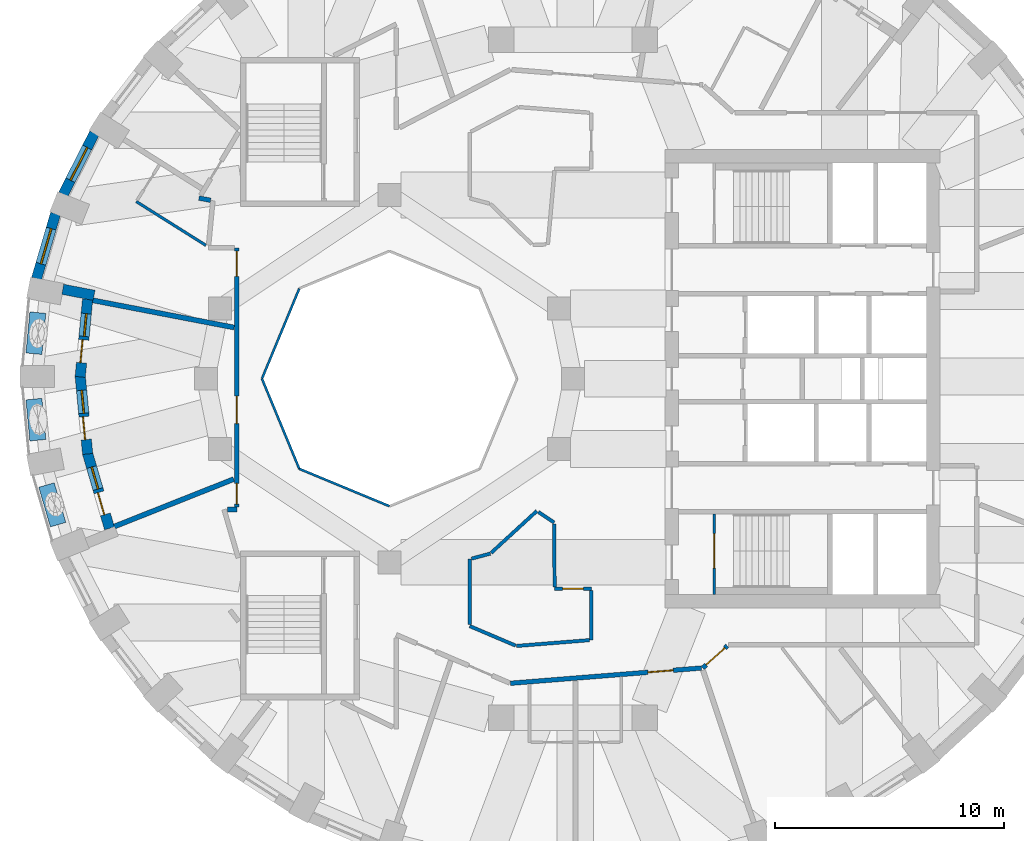
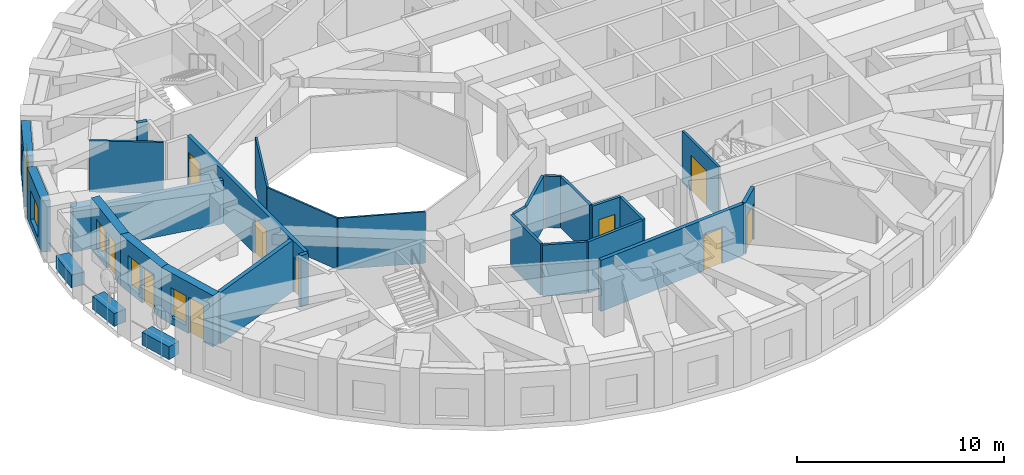
# One storey, part 4 of 12: 30 walls, 10 doors, 5 windows, 15 openings.
"""IFC4 building model written with IfcOpenShell, lengths in metres."""

import ifcopenshell
import ifcopenshell.guid

model = None  # the IFC model being written
_history = None  # IfcOwnerHistory: only IFC2X3 demands one
_inside = {}  # id of a spatial element -> (the spatial element, [elements in it])
_under = {}  # id of a project, library or spatial element -> (it, [spatial elements below it])
_declared = {}  # id of a project -> (the project, [libraries it declares])
_typed = {}  # id of a type object -> (the type object, [elements of that type])
_made_of = {}  # id of a material, layer set ... -> (it, [elements and type objects made of it])


def new_model(schema):
    """Start an empty IFC model of exactly this schema.

    Asked for "IFC4X3", IfcOpenShell would pick the latest addendum, in which some entities
    have other attributes; the version numbers below select the first issue.
    IFC2X3 requires an IfcOwnerHistory on every rooted entity: one is made here for all.
    """
    global model, _history
    if schema == "IFC4X3":
        model = ifcopenshell.file(schema_version=(4, 3, 0, 0))
    else:
        model = ifcopenshell.file(schema=schema)
    _inside.clear()
    _under.clear()
    _declared.clear()
    _typed.clear()
    _made_of.clear()
    _history = None
    if model.schema == "IFC2X3":
        org = make("IfcOrganization", Name="unknown")
        user = make(
            "IfcPersonAndOrganization",
            ThePerson=make("IfcPerson", FamilyName="unknown"),
            TheOrganization=org,
        )
        app = make(
            "IfcApplication",
            ApplicationDeveloper=org,
            Version="unknown",
            ApplicationFullName="unknown",
            ApplicationIdentifier="unknown",
        )
        _history = make(
            "IfcOwnerHistory",
            OwningUser=user,
            OwningApplication=app,
            ChangeAction="ADDED",
            CreationDate=0,
        )
    return model


def make(cls, **values):
    """One entity of the class cls with the attributes given. An attribute that is None is left unset."""
    return model.create_entity(
        cls, **{name: value for name, value in values.items() if value is not None}
    )


def rooted(cls, **values):
    """An entity with a GlobalId (a new one), such as an element, a storey or a relation."""
    return make(cls, GlobalId=ifcopenshell.guid.new(), OwnerHistory=_history, **values)


def si_unit(unit_type, name, prefix=None):
    """IfcSIUnit, for example si_unit("LENGTHUNIT", "METRE", prefix="MILLI")."""
    return make("IfcSIUnit", UnitType=unit_type, Prefix=prefix, Name=name)


def assignment(units):
    """IfcUnitAssignment: the units of a project."""
    return None if units is None else make("IfcUnitAssignment", Units=units)


def point(xyz):
    """IfcCartesianPoint."""
    return None if xyz is None else make("IfcCartesianPoint", Coordinates=xyz)


def direction(xyz):
    """IfcDirection."""
    return None if xyz is None else make("IfcDirection", DirectionRatios=xyz)


def frame(location, z_axis=None, x_axis=None):
    """IfcAxis2Placement3D, a coordinate frame: its origin and axes. An axis left out is left unset."""
    return make(
        "IfcAxis2Placement3D",
        Location=point(location),
        Axis=direction(z_axis),
        RefDirection=direction(x_axis),
    )


def frame_2d(location, x_axis=None):
    """IfcAxis2Placement2D, a coordinate frame in the plane: its origin and x axis."""
    return make(
        "IfcAxis2Placement2D", Location=point(location), RefDirection=direction(x_axis)
    )


def origin():
    """The frame at (0, 0, 0) with its axes left unset."""
    return frame((0.0, 0.0, 0.0))


def place(relative_to, where):
    """IfcLocalPlacement: puts the frame where relative to a parent placement (None: the world)."""
    return make(
        "IfcLocalPlacement", PlacementRelTo=relative_to, RelativePlacement=where
    )


def context(
    kind, dimensions, precision=None, world=None, true_north=None, identifier=None
):
    """IfcGeometricRepresentationContext, for example the 3D "Model" context."""
    return make(
        "IfcGeometricRepresentationContext",
        ContextIdentifier=identifier,
        ContextType=kind,
        CoordinateSpaceDimension=dimensions,
        Precision=precision,
        WorldCoordinateSystem=world,
        TrueNorth=true_north,
    )


def subcontext(parent, identifier, kind, view, scale=None):
    """IfcGeometricRepresentationSubContext, for example "Body" below "Model"."""
    return make(
        "IfcGeometricRepresentationSubContext",
        ContextIdentifier=identifier,
        ContextType=kind,
        ParentContext=parent,
        TargetScale=scale,
        TargetView=view,
    )


def project(units=None, contexts=None):
    """IfcProject with its units and contexts."""
    return rooted(
        "IfcProject",
        Name="project",
        RepresentationContexts=contexts,
        UnitsInContext=assignment(units),
    )


def spatial(cls, under=None, at=None, **own):
    """A site, building, storey or space (cls), placed at a placement, below another one or the project."""
    s = rooted(cls, ObjectPlacement=at, **own)
    if under is not None:
        _under.setdefault(under.id(), (under, []))[1].append(s)
    return s


def profile(cls, at=None, kind="AREA", **sizes):
    """A parametric profile (cls). Its sizes go by their IFC names, for example OverallWidth=200.0."""
    return make(cls, ProfileType=kind, Position=at, **sizes)


def rectangle(**sizes):
    """IfcRectangleProfileDef."""
    return profile("IfcRectangleProfileDef", **sizes)


def extrude(swept, where, along, depth):
    """IfcExtrudedAreaSolid: the profile swept, set in the frame where, extruded along a direction by depth."""
    return make(
        "IfcExtrudedAreaSolid",
        SweptArea=swept,
        Position=where,
        ExtrudedDirection=direction(along),
        Depth=depth,
    )


def shape(context_of_items, identifier, shape_type, items):
    """IfcShapeRepresentation: the items that make up one representation, for example the "Body"."""
    return make(
        "IfcShapeRepresentation",
        ContextOfItems=context_of_items,
        RepresentationIdentifier=identifier,
        RepresentationType=shape_type,
        Items=items,
    )


def material(Name=None, Category=None):
    """IfcMaterial."""
    return make("IfcMaterial", Name=Name, Category=Category)


def layer(
    of_material, thickness, ventilated=None, Name=None, Category=None, Priority=None
):
    """IfcMaterialLayer: one layer of a wall or slab, of a material (None: an air gap)."""
    return make(
        "IfcMaterialLayer",
        Material=of_material,
        LayerThickness=thickness,
        IsVentilated=ventilated,
        Name=Name,
        Category=Category,
        Priority=Priority,
    )


def layer_set(layers, Name=None):
    """IfcMaterialLayerSet."""
    return make("IfcMaterialLayerSet", MaterialLayers=layers, LayerSetName=Name)


def constituent(of_material, Name=None, Category=None, fraction=None):
    """IfcMaterialConstituent: one of the materials an element consists of."""
    return make(
        "IfcMaterialConstituent",
        Name=Name,
        Material=of_material,
        Fraction=fraction,
        Category=Category,
    )


def constituent_set(constituents=None, Name=None):
    """IfcMaterialConstituentSet."""
    return make(
        "IfcMaterialConstituentSet", Name=Name, MaterialConstituents=constituents
    )


def made_of(thing, what):
    """Note that an element or type object is made of a material, layer set ...; save() writes the relation."""
    if what is not None:
        _made_of.setdefault(what.id(), (what, []))[1].append(thing)
    return thing


def type_object(cls, material=None, **own):
    """A type object (cls), such as IfcWallType, which elements share."""
    return made_of(rooted(cls, **own), material)


def element(
    cls,
    number,
    at=None,
    inside=None,
    cuts=None,
    type_object=None,
    material=None,
    context=None,
    identifier="Body",
    shape_type=None,
    held_by="IfcProductDefinitionShape",
    body=None,
    shapes=None,
    **own,
):
    """One element of the class cls, such as IfcWall. Its Tag is "e" and its number.

    at: its placement. inside: the storey or other place that contains it. cuts: it is an
    opening in that element (IfcRelVoidsElement). A single representation is given by context,
    identifier, shape_type and body (its items); several are given by shapes. held_by: the class
    of the entity that holds the representations. save() writes the other relations.
    """
    e = rooted(cls, Tag="e%d" % number, ObjectPlacement=at, **own)
    if body is not None:
        shapes = [shape(context, identifier, shape_type, body)]
    if shapes is not None:
        e.Representation = make(held_by, Representations=shapes)
    if inside is not None:
        _inside.setdefault(inside.id(), (inside, []))[1].append(e)
    if cuts is not None:
        rooted(
            "IfcRelVoidsElement", RelatingBuildingElement=cuts, RelatedOpeningElement=e
        )
    if type_object is not None:
        _typed.setdefault(type_object.id(), (type_object, []))[1].append(e)
    return made_of(e, material)


def fill(opening, filler):
    """IfcRelFillsElement: the door or window that sits in an opening."""
    return rooted(
        "IfcRelFillsElement",
        RelatingOpeningElement=opening,
        RelatedBuildingElement=filler,
    )


def aggregate(whole, parts):
    """IfcRelAggregates: a whole, such as a stair, and the parts it consists of."""
    return rooted("IfcRelAggregates", RelatingObject=whole, RelatedObjects=parts)


def save(model, path):
    """Write the relations noted so far, then the file.

    IfcRelAggregates (storeys below a building ...), IfcRelContainedInSpatialStructure (elements
    in a storey), IfcRelDefinesByType, IfcRelAssociatesMaterial and IfcRelDeclares: one each for
    every whole, place, type object, material and project.
    """
    for whole, parts in _under.values():
        aggregate(whole, parts)
    for where, things in _inside.values():
        rooted(
            "IfcRelContainedInSpatialStructure",
            RelatedElements=things,
            RelatingStructure=where,
        )
    for kind, things in _typed.values():
        rooted("IfcRelDefinesByType", RelatedObjects=things, RelatingType=kind)
    for what, things in _made_of.values():
        rooted("IfcRelAssociatesMaterial", RelatedObjects=things, RelatingMaterial=what)
    for by, libraries in _declared.values():
        rooted("IfcRelDeclares", RelatingContext=by, RelatedDefinitions=libraries)
    model.write(path)


model = new_model("IFC4")

# Units and contexts
model_context = context("Model", 3, precision=1e-05, world=origin(), true_north=direction((0.0, 1.0)))
body_context = subcontext(model_context, "Body", "Model", "MODEL_VIEW")
ifc_project = project(units=[si_unit("LENGTHUNIT", "METRE"), si_unit("AREAUNIT", "SQUARE_METRE"), si_unit("VOLUMEUNIT", "CUBIC_METRE"), si_unit("PLANEANGLEUNIT", "RADIAN"), si_unit("MASSUNIT", "GRAM", prefix="KILO")], contexts=[model_context])

# Site, building, storey
site_placement = place(None, origin())
site = spatial("IfcSite", under=ifc_project, at=site_placement, CompositionType="ELEMENT")
building_placement = place(site_placement, origin())
building = spatial("IfcBuilding", under=site, at=building_placement, Name="Taillehof Tower", CompositionType="ELEMENT")
storey_placement = place(building_placement, frame((0.0, 0.0, 151.699951171875)))
storey = spatial("IfcBuildingStorey", under=building, at=storey_placement, Name="L42", CompositionType="ELEMENT", Elevation=151.699951171875)

# Walls
ifc_material_1 = material(Name="Fire-resisting glass in steel frame", Category="steel")
ifc_layer_1 = layer(ifc_material_1, 0.10009765625)
ifc_layer_set_1 = layer_set([ifc_layer_1], Name="Atrium fire-resisting screen EI 60 100")
wall_type_1 = type_object("IfcWallType", Name="Atrium fire-resisting screen EI 60 100", PredefinedType="PARTITIONING", material=ifc_layer_set_1)
for number, where, z_axis, x_axis, name in (
    (1, (-8.0, -5.55419921875, 0.0), (0.0, 0.0, 1.0), (-0.923860025149, 0.382730523909, 0.0), "Atrium screen"),
    (2, (-11.92724609375, -3.92724609375, 0.0), (0.0, 0.0, 1.0), (-0.382730523909, 0.923860025149, 0.0), "Atrium screen"),
    (3, (-13.55419921875, 0.0, 0.0), (0.0, 0.0, 1.0), (0.382730523909, 0.923860025149, 0.0), "Atrium screen"),
):
    element("IfcWall", number, at=place(storey_placement, frame(where, z_axis=z_axis, x_axis=x_axis)), inside=storey, type_object=wall_type_1, Name=name, PredefinedType="PARTITIONING", context=body_context, shape_type="SweptSolid", body=[
        extrude(rectangle(XDim=4.2509765625, YDim=0.10009765625, at=frame_2d((2.12548828125, 0.0))), origin(), (0.0, 0.0, 1.0), 3.02001953125),
    ])

# Wall, opening, window
ifc_material_2 = material(Name="Brick masonry", Category="masonry")
ifc_layer_2 = layer(ifc_material_2, 0.449951171875)
ifc_layer_set_2 = layer_set([ifc_layer_2], Name="Brick infill wall 450")
wall_type_2 = type_object("IfcWallType", Name="Brick infill wall 450", PredefinedType="SOLIDWALL", material=ifc_layer_set_2)
wall_1_placement = place(storey_placement, frame((-20.859375, 10.697021484375, 0.0), z_axis=(0.0, 0.0, 1.0), x_axis=(-0.454133999889, -0.890933392653, 0.0)))
wall_1 = element("IfcWall", 4, at=wall_1_placement, inside=storey, type_object=wall_type_2, Name="Brick wall L42 bay 16", PredefinedType="SOLIDWALL", context=body_context, shape_type="SweptSolid", body=[
    extrude(rectangle(XDim=2.98583984375, YDim=0.449951171875, at=frame_2d((1.492919921875, 0.0))), origin(), (0.0, 0.0, 1.0), 3.02001953125),
])
opening_1_placement = place(wall_1_placement, frame((0.69287109375, 0.0, 0.39990234375)))
opening_1 = element("IfcOpeningElement", 5, at=opening_1_placement, cuts=wall_1, Name="Opening W3", PredefinedType="OPENING", context=body_context, shape_type="SweptSolid", body=[
    extrude(rectangle(XDim=1.60009765625, YDim=1.75, at=frame_2d((0.800048828125, 0.875))), frame((0.0, 0.23486328125, 0.0), z_axis=(0.0, -1.0, 0.0), x_axis=(1.0, 0.0, 0.0)), (0.0, 0.0, 1.0), 0.469970703125),
])
ifc_material_3 = material(Name="Aluminium window frame with clear double glazing", Category="aluminium")
window_type_1 = type_object("IfcWindowType", Name="Deep-set window 1600x1750", PartitioningType="SINGLE_PANEL", PredefinedType="WINDOW", material=ifc_material_3)
window_1_placement = place(opening_1_placement, origin())
window_1 = element("IfcWindow", 6, at=window_1_placement, inside=storey, type_object=window_type_1, Name="W3", OverallHeight=1.75, OverallWidth=1.60009765625, PartitioningType="SINGLE_PANEL", PredefinedType="WINDOW", context=body_context, shape_type="SweptSolid", body=[
    extrude(rectangle(XDim=1.60009765625, YDim=1.75, at=frame_2d((0.800048828125, 0.875))), frame((0.0, 0.034912109375, 0.0), z_axis=(0.0, -1.0, 0.0), x_axis=(1.0, 0.0, 0.0)), (0.0, 0.0, 1.0), 0.06005859375),
])
fill(opening_1, window_1)

wall_2_placement = place(storey_placement, frame((-22.55126953125, 7.19091796875, 0.0), z_axis=(0.0, 0.0, 1.0), x_axis=(-0.281125768296, -0.959670934435, 0.0)))
wall_2 = element("IfcWall", 7, at=wall_2_placement, inside=storey, type_object=wall_type_2, Name="Brick wall L42 bay 17", PredefinedType="SOLIDWALL", context=body_context, shape_type="SweptSolid", body=[
    extrude(rectangle(XDim=2.947509765625, YDim=0.449951171875, at=frame_2d((1.4736328125, 0.0))), origin(), (0.0, 0.0, 1.0), 3.02001953125),
])
opening_2_placement = place(wall_2_placement, frame((0.673583984375, 0.0, 0.39990234375)))
opening_2 = element("IfcOpeningElement", 8, at=opening_2_placement, cuts=wall_2, Name="Opening W3", PredefinedType="OPENING", context=body_context, shape_type="SweptSolid", body=[
    extrude(rectangle(XDim=1.60009765625, YDim=1.75, at=frame_2d((0.800048828125, 0.875))), frame((0.0, 0.23486328125, 0.0), z_axis=(0.0, -1.0, 0.0), x_axis=(1.0, 0.0, 0.0)), (0.0, 0.0, 1.0), 0.469970703125),
])
window_2_placement = place(opening_2_placement, origin())
window_2 = element("IfcWindow", 9, at=window_2_placement, inside=storey, type_object=window_type_1, Name="W3", OverallHeight=1.75, OverallWidth=1.60009765625, PartitioningType="SINGLE_PANEL", PredefinedType="WINDOW", context=body_context, shape_type="SweptSolid", body=[
    extrude(rectangle(XDim=1.60009765625, YDim=1.75, at=frame_2d((0.800048828125, 0.875))), frame((0.0, 0.034912109375, 0.0), z_axis=(0.0, -1.0, 0.0), x_axis=(1.0, 0.0, 0.0)), (0.0, 0.0, 1.0), 0.06005859375),
])
fill(opening_2, window_2)

# Wall
wall_3_placement = place(storey_placement, frame((-22.236572265625, 3.896484375, 0.0), z_axis=(0.0, 0.0, 1.0), x_axis=(0.98204526411, -0.188645432598, 0.0)))
element("IfcWall", 10, at=wall_3_placement, inside=storey, type_object=wall_type_2, Name="Brick reveal L42 pocket 5", PredefinedType="SOLIDWALL", context=body_context, shape_type="SweptSolid", body=[
    extrude(rectangle(XDim=1.389892578125, YDim=0.449951171875, at=frame_2d((0.69482421875, 0.0))), origin(), (0.0, 0.0, 1.0), 2.570068359375),
])

# Wall, openings, door, window
wall_4_placement = place(storey_placement, frame((-21.153564453125, 3.459228515625, 0.0), z_axis=(0.0, 0.0, 1.0), x_axis=(-0.094968544931, -0.995480273774, 0.0)))
wall_4 = element("IfcWall", 11, at=wall_4_placement, inside=storey, type_object=wall_type_2, Name="Brick wall L42 pocket bay 18", PredefinedType="SOLIDWALL", context=body_context, shape_type="SweptSolid", body=[
    extrude(rectangle(XDim=3.39599609375, YDim=0.449951171875, at=frame_2d((1.697998046875, 0.0))), origin(), (0.0, 0.0, 1.0), 3.02001953125),
])
opening_3_placement = place(wall_4_placement, frame((0.623046875, 0.0, 0.39990234375)))
opening_3 = element("IfcOpeningElement", 12, at=opening_3_placement, cuts=wall_4, Name="Opening W5", PredefinedType="OPENING", context=body_context, shape_type="SweptSolid", body=[
    extrude(rectangle(XDim=1.0, YDim=1.75, at=frame_2d((0.5, 0.875))), frame((0.0, 0.23486328125, 0.0), z_axis=(0.0, -1.0, 0.0), x_axis=(1.0, 0.0, 0.0)), (0.0, 0.0, 1.0), 0.469970703125),
])
opening_4_placement = place(wall_4_placement, frame((1.77294921875, 0.0, 0.0)))
opening_4 = element("IfcOpeningElement", 13, at=opening_4_placement, cuts=wall_4, Name="Opening D4291", PredefinedType="OPENING", context=body_context, shape_type="SweptSolid", body=[
    extrude(rectangle(XDim=1.0, YDim=2.14990234375, at=frame_2d((0.5, 1.074951171875))), frame((0.0, 0.23486328125, 0.0), z_axis=(0.0, -1.0, 0.0), x_axis=(1.0, 0.0, 0.0)), (0.0, 0.0, 1.0), 0.469970703125),
])
ifc_material_4 = material(Name="Aluminium door frame with clear double glazing", Category="aluminium")
door_type_1 = type_object("IfcDoorType", Name="Balcony door 1000x2150", OperationType="SINGLE_SWING_RIGHT", PredefinedType="DOOR", material=ifc_material_4)
door_1_placement = place(opening_4_placement, frame((1.0, 0.0, 0.0), z_axis=(0.0, 0.0, 1.0), x_axis=(-1.0, 0.0, 0.0)))
door_1 = element("IfcDoor", 14, at=door_1_placement, inside=storey, type_object=door_type_1, Name="Balcony door L42 bay 18", OperationType="SINGLE_SWING_RIGHT", OverallHeight=2.14990234375, OverallWidth=1.0, PredefinedType="DOOR", context=body_context, shape_type="SweptSolid", body=[
    extrude(rectangle(XDim=1.0, YDim=2.14990234375, at=frame_2d((0.5, 1.074951171875))), frame((0.0, 0.0751953125, 0.0), z_axis=(0.0, -1.0, 0.0), x_axis=(1.0, 0.0, 0.0)), (0.0, 0.0, 1.0), 0.050048828125),
])
fill(opening_4, door_1)
ifc_material_5 = material(Name="Aluminium window frame with clear double glazing", Category="aluminium")
window_type_2 = type_object("IfcWindowType", Name="Fixed window 1000x1750", PartitioningType="SINGLE_PANEL", PredefinedType="WINDOW", material=ifc_material_5)
window_3_placement = place(opening_3_placement, origin())
window_3 = element("IfcWindow", 15, at=window_3_placement, inside=storey, type_object=window_type_2, Name="W5", OverallHeight=1.75, OverallWidth=1.0, PartitioningType="SINGLE_PANEL", PredefinedType="WINDOW", context=body_context, shape_type="SweptSolid", body=[
    extrude(rectangle(XDim=1.0, YDim=1.75, at=frame_2d((0.5, 0.875))), frame((0.0, 0.034912109375, 0.0), z_axis=(0.0, -1.0, 0.0), x_axis=(1.0, 0.0, 0.0)), (0.0, 0.0, 1.0), 0.06005859375),
])
fill(opening_3, window_3)

wall_5_placement = place(storey_placement, frame((-21.47607421875, 0.121337890625, 0.0), z_axis=(0.0, 0.0, 1.0), x_axis=(0.094947321258, -0.995482298279, 0.0)))
wall_5 = element("IfcWall", 16, at=wall_5_placement, inside=storey, type_object=wall_type_2, Name="Brick wall L42 pocket bay 19", PredefinedType="SOLIDWALL", context=body_context, shape_type="SweptSolid", body=[
    extrude(rectangle(XDim=3.417236328125, YDim=0.449951171875, at=frame_2d((1.70849609375, 0.0))), origin(), (0.0, 0.0, 1.0), 3.02001953125),
])
opening_5_placement = place(wall_5_placement, frame((0.6337890625, 0.0, 0.39990234375)))
opening_5 = element("IfcOpeningElement", 17, at=opening_5_placement, cuts=wall_5, Name="Opening W5", PredefinedType="OPENING", context=body_context, shape_type="SweptSolid", body=[
    extrude(rectangle(XDim=1.0, YDim=1.75, at=frame_2d((0.5, 0.875))), frame((0.0, 0.23486328125, 0.0), z_axis=(0.0, -1.0, 0.0), x_axis=(1.0, 0.0, 0.0)), (0.0, 0.0, 1.0), 0.469970703125),
])
opening_6_placement = place(wall_5_placement, frame((1.78369140625, 0.0, 0.0)))
opening_6 = element("IfcOpeningElement", 18, at=opening_6_placement, cuts=wall_5, Name="Opening D4292", PredefinedType="OPENING", context=body_context, shape_type="SweptSolid", body=[
    extrude(rectangle(XDim=1.0, YDim=2.14990234375, at=frame_2d((0.5, 1.074951171875))), frame((0.0, 0.23486328125, 0.0), z_axis=(0.0, -1.0, 0.0), x_axis=(1.0, 0.0, 0.0)), (0.0, 0.0, 1.0), 0.469970703125),
])
door_2_placement = place(opening_6_placement, frame((1.0, 0.0, 0.0), z_axis=(0.0, 0.0, 1.0), x_axis=(-1.0, 0.0, 0.0)))
door_2 = element("IfcDoor", 19, at=door_2_placement, inside=storey, type_object=door_type_1, Name="Balcony door L42 bay 19", OperationType="SINGLE_SWING_LEFT", OverallHeight=2.14990234375, OverallWidth=1.0, PredefinedType="DOOR", context=body_context, shape_type="SweptSolid", body=[
    extrude(rectangle(XDim=1.0, YDim=2.14990234375, at=frame_2d((0.5, 1.074951171875))), frame((0.0, 0.0751953125, 0.0), z_axis=(0.0, -1.0, 0.0), x_axis=(1.0, 0.0, 0.0)), (0.0, 0.0, 1.0), 0.050048828125),
])
fill(opening_6, door_2)
window_4_placement = place(opening_5_placement, origin())
window_4 = element("IfcWindow", 20, at=window_4_placement, inside=storey, type_object=window_type_2, Name="W5", OverallHeight=1.75, OverallWidth=1.0, PartitioningType="SINGLE_PANEL", PredefinedType="WINDOW", context=body_context, shape_type="SweptSolid", body=[
    extrude(rectangle(XDim=1.0, YDim=1.75, at=frame_2d((0.5, 0.875))), frame((0.0, 0.034912109375, 0.0), z_axis=(0.0, -1.0, 0.0), x_axis=(1.0, 0.0, 0.0)), (0.0, 0.0, 1.0), 0.06005859375),
])
fill(opening_5, window_4)

wall_6_placement = place(storey_placement, frame((-21.159423828125, -3.23876953125, 0.0), z_axis=(0.0, 0.0, 1.0), x_axis=(0.280377942886, -0.959889685924, 0.0)))
wall_6 = element("IfcWall", 21, at=wall_6_placement, inside=storey, type_object=wall_type_2, Name="Brick wall L42 pocket bay 20", PredefinedType="SOLIDWALL", context=body_context, shape_type="SweptSolid", body=[
    extrude(rectangle(XDim=3.4228515625, YDim=0.449951171875, at=frame_2d((1.71142578125, 0.0))), origin(), (0.0, 0.0, 1.0), 3.02001953125),
])
opening_7_placement = place(wall_6_placement, frame((0.636474609375, 0.0, 0.39990234375)))
opening_7 = element("IfcOpeningElement", 22, at=opening_7_placement, cuts=wall_6, Name="Opening W5", PredefinedType="OPENING", context=body_context, shape_type="SweptSolid", body=[
    extrude(rectangle(XDim=1.0, YDim=1.75, at=frame_2d((0.5, 0.875))), frame((0.0, 0.23486328125, 0.0), z_axis=(0.0, -1.0, 0.0), x_axis=(1.0, 0.0, 0.0)), (0.0, 0.0, 1.0), 0.469970703125),
])
opening_8_placement = place(wall_6_placement, frame((1.786376953125, 0.0, 0.0)))
opening_8 = element("IfcOpeningElement", 23, at=opening_8_placement, cuts=wall_6, Name="Opening D4293", PredefinedType="OPENING", context=body_context, shape_type="SweptSolid", body=[
    extrude(rectangle(XDim=1.0, YDim=2.14990234375, at=frame_2d((0.5, 1.074951171875))), frame((0.0, 0.23486328125, 0.0), z_axis=(0.0, -1.0, 0.0), x_axis=(1.0, 0.0, 0.0)), (0.0, 0.0, 1.0), 0.469970703125),
])
door_3_placement = place(opening_8_placement, frame((1.0, 0.0, 0.0), z_axis=(0.0, 0.0, 1.0), x_axis=(-1.0, 0.0, 0.0)))
door_3 = element("IfcDoor", 24, at=door_3_placement, inside=storey, type_object=door_type_1, Name="Balcony door L42 bay 20", OperationType="SINGLE_SWING_LEFT", OverallHeight=2.14990234375, OverallWidth=1.0, PredefinedType="DOOR", context=body_context, shape_type="SweptSolid", body=[
    extrude(rectangle(XDim=1.0, YDim=2.14990234375, at=frame_2d((0.5, 1.074951171875))), frame((0.0, 0.0751953125, 0.0), z_axis=(0.0, -1.0, 0.0), x_axis=(1.0, 0.0, 0.0)), (0.0, 0.0, 1.0), 0.050048828125),
])
fill(opening_8, door_3)
window_5_placement = place(opening_7_placement, origin())
window_5 = element("IfcWindow", 25, at=window_5_placement, inside=storey, type_object=window_type_2, Name="W5", OverallHeight=1.75, OverallWidth=1.0, PartitioningType="SINGLE_PANEL", PredefinedType="WINDOW", context=body_context, shape_type="SweptSolid", body=[
    extrude(rectangle(XDim=1.0, YDim=1.75, at=frame_2d((0.5, 0.875))), frame((0.0, 0.034912109375, 0.0), z_axis=(0.0, -1.0, 0.0), x_axis=(1.0, 0.0, 0.0)), (0.0, 0.0, 1.0), 0.06005859375),
])
fill(opening_7, window_5)

# Wall, opening, door
ifc_material_6 = material(Name="Gypsum board on steel studs, two layers each side", Category="steel")
ifc_layer_3 = layer(ifc_material_6, 0.199951171875)
ifc_layer_set_3 = layer_set([ifc_layer_3], Name="Compartment wall corridor 200")
wall_type_3 = type_object("IfcWallType", Name="Compartment wall corridor 200", PredefinedType="PARTITIONING", material=ifc_layer_set_3)
wall_7_placement = place(storey_placement, frame((6.722900390625, -11.640380859375, 0.0), z_axis=(0.0, 0.0, 1.0), x_axis=(-0.743032656565, -0.669255161562, 0.0)))
wall_7 = element("IfcWall", 26, at=wall_7_placement, inside=storey, type_object=wall_type_3, Name="Compartment wall", PredefinedType="PARTITIONING", context=body_context, shape_type="SweptSolid", body=[
    extrude(rectangle(XDim=1.439453125, YDim=0.199951171875, at=frame_2d((0.7197265625, 0.0))), origin(), (0.0, 0.0, 1.0), 3.02001953125),
])
opening_9_placement = place(wall_7_placement, frame((0.139892578125, 0.0, 0.0)))
opening_9 = element("IfcOpeningElement", 27, at=opening_9_placement, cuts=wall_7, Name="Opening D4255", PredefinedType="OPENING", context=body_context, shape_type="SweptSolid", body=[
    extrude(rectangle(XDim=1.10009765625, YDim=2.10009765625, at=frame_2d((0.550048828125, 1.050048828125))), frame((0.0, 0.10986328125, 0.0), z_axis=(0.0, -1.0, 0.0), x_axis=(1.0, 0.0, 0.0)), (0.0, 0.0, 1.0), 0.219970703125),
])
ifc_material_7 = material(Name="Timber door leaf in steel frame", Category="steel")
door_type_2 = type_object("IfcDoorType", Name="Suite entrance door EI 30 1100 x 2100", OperationType="SINGLE_SWING_LEFT", PredefinedType="DOOR", material=ifc_material_7)
door_4_placement = place(opening_9_placement, origin())
door_4 = element("IfcDoor", 28, at=door_4_placement, inside=storey, type_object=door_type_2, Name="D4255", OperationType="SINGLE_SWING_RIGHT", OverallHeight=2.10009765625, OverallWidth=1.10009765625, PredefinedType="DOOR", context=body_context, shape_type="SweptSolid", body=[
    extrude(rectangle(XDim=1.10009765625, YDim=2.10009765625, at=frame_2d((0.550048828125, 1.050048828125))), frame((0.0, 0.02490234375, 0.0), z_axis=(0.0, -1.0, 0.0), x_axis=(1.0, 0.0, 0.0)), (0.0, 0.0, 1.0), 0.050048828125),
])
fill(opening_9, door_4)

wall_8_placement = place(storey_placement, frame((5.59326171875, -12.60888671875, 0.0), z_axis=(0.0, 0.0, 1.0), x_axis=(-0.99682930336, -0.079569717626, 0.0)))
wall_8 = element("IfcWall", 29, at=wall_8_placement, inside=storey, type_object=wall_type_3, Name="Compartment wall", PredefinedType="PARTITIONING", context=body_context, shape_type="SweptSolid", body=[
    extrude(rectangle(XDim=8.3486328125, YDim=0.199951171875, at=frame_2d((4.17431640625, 0.0))), origin(), (0.0, 0.0, 1.0), 3.02001953125),
])
opening_10_placement = place(wall_8_placement, frame((1.232177734375, 0.0, 0.0)))
opening_10 = element("IfcOpeningElement", 30, at=opening_10_placement, cuts=wall_8, Name="Opening D4253", PredefinedType="OPENING", context=body_context, shape_type="SweptSolid", body=[
    extrude(rectangle(XDim=1.10009765625, YDim=2.10009765625, at=frame_2d((0.550048828125, 1.050048828125))), frame((0.0, 0.10986328125, 0.0), z_axis=(0.0, -1.0, 0.0), x_axis=(1.0, 0.0, 0.0)), (0.0, 0.0, 1.0), 0.219970703125),
])
door_5_placement = place(opening_10_placement, origin())
door_5 = element("IfcDoor", 31, at=door_5_placement, inside=storey, type_object=door_type_2, Name="D4253", OperationType="SINGLE_SWING_RIGHT", OverallHeight=2.10009765625, OverallWidth=1.10009765625, PredefinedType="DOOR", context=body_context, shape_type="SweptSolid", body=[
    extrude(rectangle(XDim=1.10009765625, YDim=2.10009765625, at=frame_2d((0.550048828125, 1.050048828125))), frame((0.0, 0.02490234375, 0.0), z_axis=(0.0, -1.0, 0.0), x_axis=(1.0, 0.0, 0.0)), (0.0, 0.0, 1.0), 0.050048828125),
])
fill(opening_10, door_5)

# Wall
wall_9_placement = place(storey_placement, frame((-15.0654296875, -5.699951171875, 0.0), z_axis=(0.0, 0.0, 1.0), x_axis=(1.0, 0.0, 0.0)))
element("IfcWall", 32, at=wall_9_placement, inside=storey, type_object=wall_type_3, Name="Compartment wall", PredefinedType="PARTITIONING", context=body_context, shape_type="SweptSolid", body=[
    extrude(rectangle(XDim=0.418701171875, YDim=0.199951171875, at=frame_2d((0.20947265625, 0.0))), origin(), (0.0, 0.0, 1.0), 3.02001953125),
])

# Wall, openings, doors
wall_10_placement = place(storey_placement, frame((-14.646728515625, -5.599853515625, 0.0), z_axis=(0.0, 0.0, 1.0), x_axis=(0.0, 1.0, 0.0)))
wall_10 = element("IfcWall", 33, at=wall_10_placement, inside=storey, type_object=wall_type_3, Name="Compartment wall", PredefinedType="PARTITIONING", context=body_context, shape_type="SweptSolid", body=[
    extrude(rectangle(XDim=11.2998046875, YDim=0.199951171875, at=frame_2d((5.64990234375, 0.0))), origin(), (0.0, 0.0, 1.0), 3.02001953125),
])
opening_11_placement = place(wall_10_placement, frame((10.059814453125, 0.0, 0.0)))
opening_11 = element("IfcOpeningElement", 34, at=opening_11_placement, cuts=wall_10, Name="Opening D4246", PredefinedType="OPENING", context=body_context, shape_type="SweptSolid", body=[
    extrude(rectangle(XDim=1.10009765625, YDim=2.10009765625, at=frame_2d((0.550048828125, 1.050048828125))), frame((0.0, 0.10986328125, 0.0), z_axis=(0.0, -1.0, 0.0), x_axis=(1.0, 0.0, 0.0)), (0.0, 0.0, 1.0), 0.219970703125),
])
opening_12_placement = place(wall_10_placement, frame((3.638916015625, 0.0, 0.0)))
opening_12 = element("IfcOpeningElement", 35, at=opening_12_placement, cuts=wall_10, Name="Opening D4248", PredefinedType="OPENING", context=body_context, shape_type="SweptSolid", body=[
    extrude(rectangle(XDim=1.199951171875, YDim=2.10009765625, at=frame_2d((0.60009765625, 1.050048828125))), frame((0.0, 0.10986328125, 0.0), z_axis=(0.0, -1.0, 0.0), x_axis=(1.0, 0.0, 0.0)), (0.0, 0.0, 1.0), 0.219970703125),
])
opening_13_placement = place(wall_10_placement, frame((0.139892578125, 0.0, 0.0)))
opening_13 = element("IfcOpeningElement", 36, at=opening_13_placement, cuts=wall_10, Name="Opening D4249", PredefinedType="OPENING", context=body_context, shape_type="SweptSolid", body=[
    extrude(rectangle(XDim=0.89990234375, YDim=2.10009765625, at=frame_2d((0.449951171875, 1.050048828125))), frame((0.0, 0.10986328125, 0.0), z_axis=(0.0, -1.0, 0.0), x_axis=(1.0, 0.0, 0.0)), (0.0, 0.0, 1.0), 0.219970703125),
])
ifc_material_8 = material(Name="Timber door leaf in steel frame", Category="steel")
door_type_3 = type_object("IfcDoorType", Name="Service room door EI 30 900 x 2100", OperationType="SINGLE_SWING_LEFT", PredefinedType="DOOR", material=ifc_material_8)
door_6_placement = place(opening_13_placement, origin())
door_6 = element("IfcDoor", 37, at=door_6_placement, inside=storey, type_object=door_type_3, Name="D4249", OperationType="SINGLE_SWING_LEFT", OverallHeight=2.10009765625, OverallWidth=0.89990234375, PredefinedType="DOOR", context=body_context, shape_type="SweptSolid", body=[
    extrude(rectangle(XDim=0.89990234375, YDim=2.10009765625, at=frame_2d((0.449951171875, 1.050048828125))), frame((0.0, 0.02490234375, 0.0), z_axis=(0.0, -1.0, 0.0), x_axis=(1.0, 0.0, 0.0)), (0.0, 0.0, 1.0), 0.050048828125),
])
fill(opening_13, door_6)
door_7_placement = place(opening_11_placement, origin())
door_7 = element("IfcDoor", 38, at=door_7_placement, inside=storey, type_object=door_type_2, Name="D4246", OperationType="SINGLE_SWING_RIGHT", OverallHeight=2.10009765625, OverallWidth=1.10009765625, PredefinedType="DOOR", context=body_context, shape_type="SweptSolid", body=[
    extrude(rectangle(XDim=1.10009765625, YDim=2.10009765625, at=frame_2d((0.550048828125, 1.050048828125))), frame((0.0, 0.02490234375, 0.0), z_axis=(0.0, -1.0, 0.0), x_axis=(1.0, 0.0, 0.0)), (0.0, 0.0, 1.0), 0.050048828125),
])
fill(opening_11, door_7)
ifc_material_9 = material(Name="Timber door leaf in steel frame", Category="steel")
door_type_4 = type_object("IfcDoorType", Name="Suite entrance door EI 30 1200 x 2100", OperationType="SINGLE_SWING_LEFT", PredefinedType="DOOR", material=ifc_material_9)
door_8_placement = place(opening_12_placement, origin())
door_8 = element("IfcDoor", 39, at=door_8_placement, inside=storey, type_object=door_type_4, Name="D4248", OperationType="SINGLE_SWING_LEFT", OverallHeight=2.10009765625, OverallWidth=1.199951171875, PredefinedType="DOOR", context=body_context, shape_type="SweptSolid", body=[
    extrude(rectangle(XDim=1.199951171875, YDim=2.10009765625, at=frame_2d((0.60009765625, 1.050048828125))), frame((0.0, 0.02490234375, 0.0), z_axis=(0.0, -1.0, 0.0), x_axis=(1.0, 0.0, 0.0)), (0.0, 0.0, 1.0), 0.050048828125),
])
fill(opening_12, door_8)

# Walls
wall_11_placement = place(storey_placement, frame((-15.79345703125, 7.774658203125, 0.0), z_axis=(0.0, 0.0, 1.0), x_axis=(-0.981833914825, 0.189742361371, 0.0)))
element("IfcWall", 40, at=wall_11_placement, inside=storey, type_object=wall_type_3, Name="Compartment wall", PredefinedType="PARTITIONING", context=body_context, shape_type="SweptSolid", body=[
    extrude(rectangle(XDim=0.515869140625, YDim=0.199951171875, at=frame_2d((0.2578125, 0.0))), origin(), (0.0, 0.0, 1.0), 3.02001953125),
])
ifc_material_10 = material(Name="Gypsum board on double steel studs with mineral wool", Category="steel")
ifc_layer_4 = layer(ifc_material_10, 0.219970703125)
ifc_layer_set_4 = layer_set([ifc_layer_4], Name="Compartment wall guest room 220")
wall_type_4 = type_object("IfcWallType", Name="Compartment wall guest room 220", PredefinedType="PARTITIONING", material=ifc_layer_set_4)
wall_12_placement = place(storey_placement, frame((-20.931640625, 3.416748046875, 0.0), z_axis=(0.0, 0.0, 1.0), x_axis=(0.982023362662, -0.188759410856, 0.0)))
element("IfcWall", 41, at=wall_12_placement, inside=storey, type_object=wall_type_4, Name="Compartment wall", PredefinedType="PARTITIONING", context=body_context, shape_type="SweptSolid", body=[
    extrude(rectangle(XDim=6.278076171875, YDim=0.219970703125, at=frame_2d((3.13916015625, 0.0))), origin(), (0.0, 0.0, 1.0), 2.570068359375),
])
wall_13_placement = place(storey_placement, frame((-19.989501953125, -6.441162109375, 0.0), z_axis=(0.0, 0.0, 1.0), x_axis=(0.929507316491, 0.368803672147, 0.0)))
element("IfcWall", 42, at=wall_13_placement, inside=storey, type_object=wall_type_4, Name="Compartment wall", PredefinedType="PARTITIONING", context=body_context, shape_type="SweptSolid", body=[
    extrude(rectangle(XDim=5.600341796875, YDim=0.219970703125, at=frame_2d((2.80029296875, 0.0))), origin(), (0.0, 0.0, 1.0), 3.02001953125),
])

# Wall, opening, door
ifc_material_11 = material(Name="Gypsum board on steel studs, two layers each side", Category="steel")
ifc_layer_5 = layer(ifc_material_11, 0.14990234375)
ifc_layer_set_5 = layer_set([ifc_layer_5], Name="Compartment wall service room 150")
wall_type_5 = type_object("IfcWallType", Name="Compartment wall service room 150", PredefinedType="PARTITIONING", material=ifc_layer_set_5)
wall_14_placement = place(storey_placement, frame((-0.800048828125, -9.14990234375, 0.0), z_axis=(0.0, 0.0, 1.0), x_axis=(1.0, 0.0, 0.0)))
wall_14 = element("IfcWall", 43, at=wall_14_placement, inside=storey, type_object=wall_type_5, Name="Compartment wall", PredefinedType="PARTITIONING", context=body_context, shape_type="SweptSolid", body=[
    extrude(rectangle(XDim=1.60009765625, YDim=0.14990234375, at=frame_2d((0.800048828125, 0.0))), origin(), (0.0, 0.0, 1.0), 3.02001953125),
])
opening_14_placement = place(wall_14_placement, frame((0.35009765625, 0.0, 0.0)))
opening_14 = element("IfcOpeningElement", 44, at=opening_14_placement, cuts=wall_14, Name="Opening D4261", PredefinedType="OPENING", context=body_context, shape_type="SweptSolid", body=[
    extrude(rectangle(XDim=0.89990234375, YDim=2.10009765625, at=frame_2d((0.449951171875, 1.050048828125))), frame((0.0, 0.0849609375, 0.0), z_axis=(0.0, -1.0, 0.0), x_axis=(1.0, 0.0, 0.0)), (0.0, 0.0, 1.0), 0.169921875),
])
door_9_placement = place(opening_14_placement, origin())
door_9 = element("IfcDoor", 45, at=door_9_placement, inside=storey, type_object=door_type_3, Name="D4261", OperationType="SINGLE_SWING_LEFT", OverallHeight=2.10009765625, OverallWidth=0.89990234375, PredefinedType="DOOR", context=body_context, shape_type="SweptSolid", body=[
    extrude(rectangle(XDim=0.89990234375, YDim=2.10009765625, at=frame_2d((0.449951171875, 1.050048828125))), frame((0.0, 0.02490234375, 0.0), z_axis=(0.0, -1.0, 0.0), x_axis=(1.0, 0.0, 0.0)), (0.0, 0.0, 1.0), 0.050048828125),
])
fill(opening_14, door_9)

# Walls
wall_15_placement = place(storey_placement, frame((0.800048828125, -9.22998046875, 0.0), z_axis=(0.0, 0.0, 1.0), x_axis=(0.0, -1.0, 0.0)))
element("IfcWall", 46, at=wall_15_placement, inside=storey, type_object=wall_type_5, Name="Compartment wall", PredefinedType="PARTITIONING", context=body_context, shape_type="SweptSolid", body=[
    extrude(rectangle(XDim=2.15625, YDim=0.14990234375, at=frame_2d((1.078125, 0.0))), origin(), (0.0, 0.0, 1.0), 3.02001953125),
])
wall_16_placement = place(storey_placement, frame((0.719970703125, -11.39306640625, 0.0), z_axis=(0.0, 0.0, 1.0), x_axis=(-0.996836626024, -0.079477927865, 0.0)))
element("IfcWall", 47, at=wall_16_placement, inside=storey, type_object=wall_type_5, Name="Compartment wall", PredefinedType="PARTITIONING", context=body_context, shape_type="SweptSolid", body=[
    extrude(rectangle(XDim=3.194580078125, YDim=0.14990234375, at=frame_2d((1.59716796875, 0.0))), origin(), (0.0, 0.0, 1.0), 3.02001953125),
])
wall_17_placement = place(storey_placement, frame((-2.501220703125, -11.63134765625, 0.0), z_axis=(0.0, 0.0, 1.0), x_axis=(-0.920228720371, 0.391381019217, 0.0)))
element("IfcWall", 48, at=wall_17_placement, inside=storey, type_object=wall_type_5, Name="Compartment wall", PredefinedType="PARTITIONING", context=body_context, shape_type="SweptSolid", body=[
    extrude(rectangle(XDim=2.172119140625, YDim=0.14990234375, at=frame_2d((1.0859375, 0.0))), origin(), (0.0, 0.0, 1.0), 3.02001953125),
])
wall_18_placement = place(storey_placement, frame((-4.5, -10.72119140625, 0.0), z_axis=(0.0, 0.0, 1.0), x_axis=(0.0, 1.0, 0.0)))
element("IfcWall", 49, at=wall_18_placement, inside=storey, type_object=wall_type_5, Name="Compartment wall", PredefinedType="PARTITIONING", context=body_context, shape_type="SweptSolid", body=[
    extrude(rectangle(XDim=2.859130859375, YDim=0.14990234375, at=frame_2d((1.4296875, 0.0))), origin(), (0.0, 0.0, 1.0), 3.02001953125),
])
wall_19_placement = place(storey_placement, frame((-4.4228515625, -7.841552734375, 0.0), z_axis=(0.0, 0.0, 1.0), x_axis=(0.965853333569, 0.259089440221, 0.0)))
element("IfcWall", 50, at=wall_19_placement, inside=storey, type_object=wall_type_5, Name="Compartment wall", PredefinedType="PARTITIONING", context=body_context, shape_type="SweptSolid", body=[
    extrude(rectangle(XDim=0.851806640625, YDim=0.14990234375, at=frame_2d((0.42578125, 0.0))), origin(), (0.0, 0.0, 1.0), 3.02001953125),
])
wall_20_placement = place(storey_placement, frame((-3.57080078125, -7.593994140625, 0.0), z_axis=(0.0, 0.0, 1.0), x_axis=(0.736783660812, 0.676128565555, 0.0)))
element("IfcWall", 51, at=wall_20_placement, inside=storey, type_object=wall_type_5, Name="Compartment wall", PredefinedType="PARTITIONING", context=body_context, shape_type="SweptSolid", body=[
    extrude(rectangle(XDim=2.708984375, YDim=0.14990234375, at=frame_2d((1.3544921875, 0.0))), origin(), (0.0, 0.0, 1.0), 3.02001953125),
])
wall_21_placement = place(storey_placement, frame((-1.508544921875, -5.806396484375, 0.0), z_axis=(0.0, 0.0, 1.0), x_axis=(0.831367153095, -0.55572354346, 0.0)))
element("IfcWall", 52, at=wall_21_placement, inside=storey, type_object=wall_type_5, Name="Compartment wall", PredefinedType="PARTITIONING", context=body_context, shape_type="SweptSolid", body=[
    extrude(rectangle(XDim=0.825439453125, YDim=0.14990234375, at=frame_2d((0.41259765625, 0.0))), origin(), (0.0, 0.0, 1.0), 3.02001953125),
])
wall_22_placement = place(storey_placement, frame((-0.821533203125, -6.3251953125, 0.0), z_axis=(0.0, 0.0, 1.0), x_axis=(0.007471771501, -0.999972085926, 0.0)))
element("IfcWall", 53, at=wall_22_placement, inside=storey, type_object=wall_type_5, Name="Compartment wall", PredefinedType="PARTITIONING", context=body_context, shape_type="SweptSolid", body=[
    extrude(rectangle(XDim=2.74462890625, YDim=0.14990234375, at=frame_2d((1.372314453125, 0.0))), origin(), (0.0, 0.0, 1.0), 3.02001953125),
])
ifc_material_12 = material(Name="Gypsum board on steel studs, moisture resistant", Category="steel")
ifc_layer_6 = layer(ifc_material_12, 0.1201171875)
ifc_layer_set_6 = layer_set([ifc_layer_6], Name="En-suite wall 120")
wall_type_6 = type_object("IfcWallType", Name="En-suite wall 120", PredefinedType="PARTITIONING", material=ifc_layer_set_6)
wall_23_placement = place(storey_placement, frame((-15.99951171875, 5.81298828125, 0.0), z_axis=(0.0, 0.0, 1.0), x_axis=(-0.846339825068, 0.53264331452, 0.0)))
element("IfcWall", 54, at=wall_23_placement, inside=storey, type_object=wall_type_6, Name="En-suite wall", PredefinedType="PARTITIONING", context=body_context, shape_type="SweptSolid", body=[
    extrude(rectangle(XDim=3.58154296875, YDim=0.1201171875, at=frame_2d((1.790771484375, 0.0))), origin(), (0.0, 0.0, 1.0), 3.02001953125),
])
ifc_material_13 = material(Name="Concrete C30/37 precast", Category="concrete")
ifc_constituent_1 = constituent(ifc_material_13, Name="Structure", Category="concrete")
ifc_material_14 = material(Name="Insulated lining")
ifc_constituent_2 = constituent(ifc_material_14, Name="Lining")
ifc_constituent_set = constituent_set(constituents=[ifc_constituent_1, ifc_constituent_2], Name="Planter trough 700x750")
wall_type_7 = type_object("IfcWallType", Name="Planter trough 700x750", PredefinedType="USERDEFINED", material=ifc_constituent_set)
for number, where, z_axis, x_axis, name in (
    (55, (-23.32177734375, 2.880615234375, 0.0), (0.0, 0.0, 1.0), (-0.095205890594, -0.995457602511, 0.0), "Planter L42 bay 18"),
    (56, (-23.4931640625, -0.888671875, 0.0), (0.0, 0.0, 1.0), (0.095205890594, -0.995457602511, 0.0), "Planter L42 bay 19"),
    (57, (-22.945068359375, -4.632568359375, 0.0), (0.0, 0.0, 1.0), (0.28102063016, -0.959701727322, 0.0), "Planter L42 bay 20"),
):
    element("IfcWall", number, at=place(storey_placement, frame(where, z_axis=z_axis, x_axis=x_axis)), inside=storey, type_object=wall_type_7, Name=name, ObjectType="PLANTER", PredefinedType="USERDEFINED", context=body_context, shape_type="SweptSolid", body=[
        extrude(rectangle(XDim=1.800048828125, YDim=0.699951171875, at=frame_2d((0.89990234375, 0.0))), origin(), (0.0, 0.0, 1.0), 0.75),
    ])

# Wall, opening, door
ifc_material_15 = material(Name="Concrete C50/60", Category="concrete")
ifc_layer_7 = layer(ifc_material_15, 0.1201171875)
ifc_layer_set_7 = layer_set([ifc_layer_7], Name="Stair lobby wall C50/60 120")
wall_type_8 = type_object("IfcWallType", Name="Stair lobby wall C50/60 120", PredefinedType="SHEAR", material=ifc_layer_set_7)
wall_24_placement = place(storey_placement, frame((6.159912109375, -9.39990234375, 0.0), z_axis=(0.0, 0.0, 1.0), x_axis=(0.0, 1.0, 0.0)))
wall_24 = element("IfcWall", 58, at=wall_24_placement, inside=storey, type_object=wall_type_8, Name="Compartment wall SW", PredefinedType="SHEAR", context=body_context, shape_type="SweptSolid", body=[
    extrude(rectangle(XDim=3.5, YDim=0.1201171875, at=frame_2d((1.75, 0.0))), origin(), (0.0, 0.0, 1.0), 3.02001953125),
])
opening_15_placement = place(wall_24_placement, frame((1.14990234375, 0.0, 0.0)))
opening_15 = element("IfcOpeningElement", 59, at=opening_15_placement, cuts=wall_24, Name="Opening D4211", PredefinedType="OPENING", context=body_context, shape_type="SweptSolid", body=[
    extrude(rectangle(XDim=1.5, YDim=2.10009765625, at=frame_2d((0.75, 1.050048828125))), frame((0.0, 0.070068359375, 0.0), z_axis=(0.0, -1.0, 0.0), x_axis=(1.0, 0.0, 0.0)), (0.0, 0.0, 1.0), 0.14013671875),
])
ifc_material_16 = material(Name="Steel-faced fire door", Category="steel")
door_type_5 = type_object("IfcDoorType", Name="Stair door 1500x2100", OperationType="DOUBLE_DOOR_SINGLE_SWING", PredefinedType="DOOR", material=ifc_material_16)
door_10_placement = place(opening_15_placement, origin())
door_10 = element("IfcDoor", 60, at=door_10_placement, inside=storey, type_object=door_type_5, Name="Stair lobby door S2", OperationType="DOUBLE_DOOR_SINGLE_SWING", OverallHeight=2.10009765625, OverallWidth=1.5, PredefinedType="DOOR", context=body_context, shape_type="SweptSolid", body=[
    extrude(rectangle(XDim=1.5, YDim=2.10009765625, at=frame_2d((0.75, 1.050048828125))), frame((0.0, 0.02490234375, 0.0), z_axis=(0.0, -1.0, 0.0), x_axis=(1.0, 0.0, 0.0)), (0.0, 0.0, 1.0), 0.050048828125),
])
fill(opening_15, door_10)

save(model, "model.ifc")
